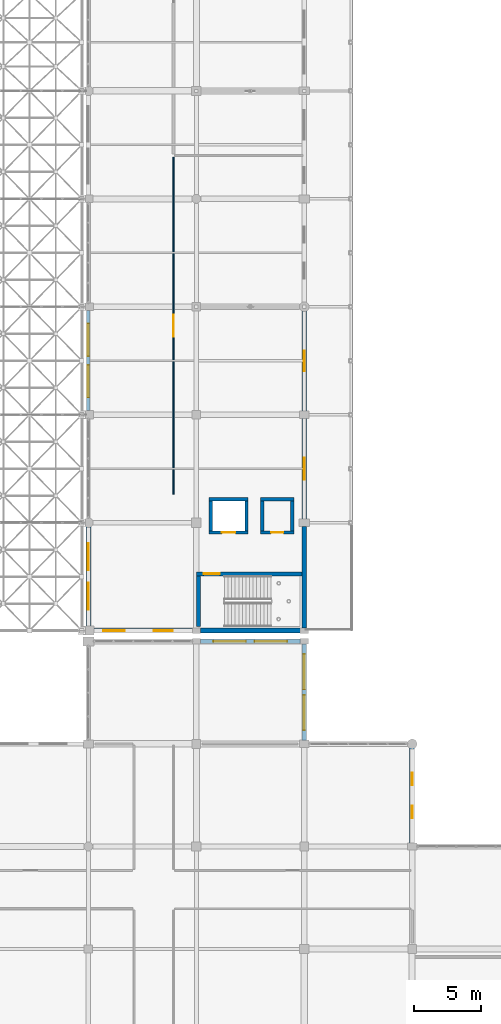
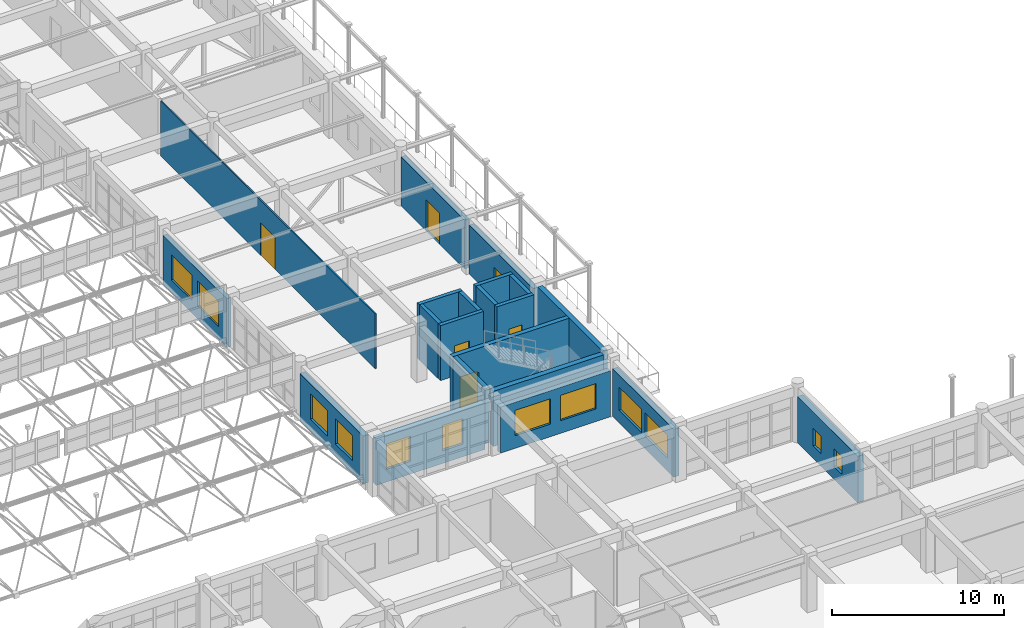
# One storey, part 166 of 195: 21 walls, 12 windows, 6 doors, 18 openings.
"""IFC4 building model written with IfcOpenShell, lengths in metres."""

from ifc_helpers import new_model, si_unit, direction, frame, frame_2d, origin, place, context, subcontext, project, spatial, rectangle, extrude, material, layer, layer_set, type_object, element, fill, save


model = new_model("IFC4")

# Units and contexts
model_context = context("Model", 3, precision=1e-05, world=origin(), true_north=direction((0.0, 1.0)))
body_context = subcontext(model_context, "Body", "Model", "MODEL_VIEW")
ifc_project = project(units=[si_unit("LENGTHUNIT", "METRE"), si_unit("AREAUNIT", "SQUARE_METRE"), si_unit("VOLUMEUNIT", "CUBIC_METRE"), si_unit("PLANEANGLEUNIT", "RADIAN"), si_unit("MASSUNIT", "GRAM", prefix="KILO")], contexts=[model_context])

# Site, building, storey
site_placement = place(None, origin())
site = spatial("IfcSite", under=ifc_project, at=site_placement, CompositionType="ELEMENT")
building_placement = place(site_placement, origin())
building = spatial("IfcBuilding", under=site, at=building_placement, Name="Kharva Crest Polytechnic", CompositionType="ELEMENT")
storey_placement = place(building_placement, frame((0.0, 0.0, 9.0)))
storey = spatial("IfcBuildingStorey", under=building, at=storey_placement, Name="L02", CompositionType="ELEMENT", Elevation=9.0)

# Wall, opening, door
ifc_material_1 = material(Name="Concrete C40/50", Category="concrete")
ifc_layer_1 = layer(ifc_material_1, 0.300048828125, Name="Concrete C40/50")
ifc_layer_set_1 = layer_set([ifc_layer_1], Name="Concrete C40/50")
wall_type_1 = type_object("IfcWallType", Name="WL-CORE-CW2-300", PredefinedType="SHEAR", material=ifc_layer_set_1)
wall_1_placement = place(storey_placement, frame((40.0, 43.010009765625, 0.0), z_axis=(0.0, 0.0, 1.0), x_axis=(1.0, 0.0, 0.0)))
wall_1 = element("IfcWall", 1, at=wall_1_placement, inside=storey, type_object=wall_type_1, Name="L02 West Workshop Core C2 North Shear Wall", PredefinedType="SHEAR", context=body_context, shape_type="SweptSolid", body=[
    extrude(rectangle(XDim=8.0, YDim=0.300048828125, at=frame_2d((4.0, 0.0))), origin(), (0.0, 0.0, 1.0), 3.919921875),
])
opening_1_placement = place(wall_1_placement, frame((0.550048828125, 0.0, 0.0)))
opening_1 = element("IfcOpeningElement", 2, at=opening_1_placement, cuts=wall_1, Name="Opening FD1", PredefinedType="OPENING", context=body_context, shape_type="SweptSolid", body=[
    extrude(rectangle(XDim=1.199951171875, YDim=2.199951171875, at=frame_2d((0.60009765625, 1.10009765625))), frame((0.0, 0.159912109375, 0.0), z_axis=(0.0, -1.0, 0.0), x_axis=(1.0, 0.0, 0.0)), (0.0, 0.0, 1.0), 0.320068359375),
])
ifc_material_2 = material(Name="Teak timber", Category="wood")
door_type_1 = type_object("IfcDoorType", Name="DR-STAIR-1200X2200", OperationType="NOTDEFINED", PredefinedType="DOOR", material=ifc_material_2)
door_1_placement = place(opening_1_placement, origin())
door_1 = element("IfcDoor", 3, at=door_1_placement, inside=storey, type_object=door_type_1, Name="L02 ST-02 Stair Door", OperationType="SINGLE_SWING_LEFT", OverallHeight=2.199951171875, OverallWidth=1.199951171875, PredefinedType="DOOR", context=body_context, shape_type="SweptSolid", body=[
    extrude(rectangle(XDim=1.199951171875, YDim=2.199951171875, at=frame_2d((0.60009765625, 1.10009765625))), frame((0.0, 0.02490234375, 0.0), z_axis=(0.0, -1.0, 0.0), x_axis=(1.0, 0.0, 0.0)), (0.0, 0.0, 1.0), 0.050048828125),
])
fill(opening_1, door_1)

# Wall
wall_2_placement = place(storey_placement, frame((40.14990234375, 39.10009765625, 0.0), z_axis=(0.0, 0.0, 1.0), x_axis=(0.0, 1.0, 0.0)))
element("IfcWall", 4, at=wall_2_placement, inside=storey, type_object=wall_type_1, Name="L02 West Workshop Core C2 West Shear Wall", PredefinedType="SHEAR", context=body_context, shape_type="SweptSolid", body=[
    extrude(rectangle(XDim=3.760009765625, YDim=0.300048828125, at=frame_2d((1.8798828125, 0.0))), origin(), (0.0, 0.0, 1.0), 3.919921875),
])

# Wall, openings, windows
ifc_material_3 = material(Name="Kiln brick masonry", Category="masonry")
ifc_layer_2 = layer(ifc_material_3, 0.27490234375, Name="Kiln brick masonry")
ifc_layer_set_2 = layer_set([ifc_layer_2], Name="Kiln brick masonry")
wall_type_2 = type_object("IfcWallType", Name="WL-EXT-BRK-275", PredefinedType="SOLIDWALL", material=ifc_layer_set_2)
wall_3_placement = place(storey_placement, frame((32.0, 62.530029296875, 0.0), z_axis=(0.0, 0.0, 1.0), x_axis=(0.0, -1.0, 0.0)))
wall_3 = element("IfcWall", 5, at=wall_3_placement, inside=storey, type_object=wall_type_2, Name="L02 Exterior Brick Wall 251", PredefinedType="SOLIDWALL", context=body_context, shape_type="SweptSolid", body=[
    extrude(rectangle(XDim=7.43505859375, YDim=0.27490234375, at=frame_2d((3.717529296875, 0.0))), origin(), (0.0, 0.0, 1.0), 3.47998046875),
])
opening_2_placement = place(wall_3_placement, frame((0.985107421875, 0.0, 0.89990234375)))
opening_2 = element("IfcOpeningElement", 6, at=opening_2_placement, cuts=wall_3, Name="Opening W02", PredefinedType="OPENING", context=body_context, shape_type="SweptSolid", body=[
    extrude(rectangle(XDim=2.39990234375, YDim=1.800048828125, at=frame_2d((1.199951171875, 0.89990234375))), frame((0.0, 0.1474609375, 0.0), z_axis=(0.0, -1.0, 0.0), x_axis=(1.0, 0.0, 0.0)), (0.0, 0.0, 1.0), 0.294921875),
])
opening_3_placement = place(wall_3_placement, frame((4.050048828125, 0.0, 0.89990234375)))
opening_3 = element("IfcOpeningElement", 7, at=opening_3_placement, cuts=wall_3, Name="Opening W02", PredefinedType="OPENING", context=body_context, shape_type="SweptSolid", body=[
    extrude(rectangle(XDim=2.39990234375, YDim=1.800048828125, at=frame_2d((1.199951171875, 0.89990234375))), frame((0.0, 0.1474609375, 0.0), z_axis=(0.0, -1.0, 0.0), x_axis=(1.0, 0.0, 0.0)), (0.0, 0.0, 1.0), 0.294921875),
])
ifc_material_4 = material(Name="Anodised aluminium", Category="aluminium")
window_type_1 = type_object("IfcWindowType", Name="WIN-ALU-2400X1800", PartitioningType="SINGLE_PANEL", PredefinedType="WINDOW", material=ifc_material_4)
window_1_placement = place(opening_2_placement, origin())
window_1 = element("IfcWindow", 8, at=window_1_placement, inside=storey, type_object=window_type_1, Name="L02 Exterior Window 335", OverallHeight=1.800048828125, OverallWidth=2.39990234375, PartitioningType="SINGLE_PANEL", PredefinedType="WINDOW", context=body_context, shape_type="SweptSolid", body=[
    extrude(rectangle(XDim=2.39990234375, YDim=1.800048828125, at=frame_2d((1.199951171875, 0.89990234375))), frame((0.0, 0.030029296875, 0.0), z_axis=(0.0, -1.0, 0.0), x_axis=(1.0, 0.0, 0.0)), (0.0, 0.0, 1.0), 0.06005859375),
])
fill(opening_2, window_1)
window_2_placement = place(opening_3_placement, origin())
window_2 = element("IfcWindow", 9, at=window_2_placement, inside=storey, type_object=window_type_1, Name="L02 Exterior Window 336", OverallHeight=1.800048828125, OverallWidth=2.39990234375, PartitioningType="SINGLE_PANEL", PredefinedType="WINDOW", context=body_context, shape_type="SweptSolid", body=[
    extrude(rectangle(XDim=2.39990234375, YDim=1.800048828125, at=frame_2d((1.199951171875, 0.89990234375))), frame((0.0, 0.030029296875, 0.0), z_axis=(0.0, -1.0, 0.0), x_axis=(1.0, 0.0, 0.0)), (0.0, 0.0, 1.0), 0.06005859375),
])
fill(opening_3, window_2)

# Wall, opening, door
ifc_layer_3 = layer(ifc_material_3, 0.304931640625, Name="Kiln brick masonry")
ifc_layer_set_3 = layer_set([ifc_layer_3], Name="Kiln brick masonry")
wall_type_3 = type_object("IfcWallType", Name="WL-EXT-BRK-305", PredefinedType="SOLIDWALL", material=ifc_layer_set_3)
wall_4_placement = place(storey_placement, frame((48.0, 55.070068359375, 0.0), z_axis=(0.0, 0.0, 1.0), x_axis=(0.0, 1.0, 0.0)))
wall_4 = element("IfcWall", 10, at=wall_4_placement, inside=storey, type_object=wall_type_3, Name="L02 Exterior Brick Wall 257", PredefinedType="SOLIDWALL", context=body_context, shape_type="SweptSolid", body=[
    extrude(rectangle(XDim=7.427490234375, YDim=0.304931640625, at=frame_2d((3.7138671875, 0.0))), origin(), (0.0, 0.0, 1.0), 3.47998046875),
])
opening_4_placement = place(wall_4_placement, frame((2.93896484375, 0.0, 0.0)))
opening_4 = element("IfcOpeningElement", 11, at=opening_4_placement, cuts=wall_4, Name="Opening ED8", PredefinedType="OPENING", context=body_context, shape_type="SweptSolid", body=[
    extrude(rectangle(XDim=1.550048828125, YDim=2.199951171875, at=frame_2d((0.77490234375, 1.10009765625))), frame((0.0, 0.162353515625, 0.0), z_axis=(0.0, -1.0, 0.0), x_axis=(1.0, 0.0, 0.0)), (0.0, 0.0, 1.0), 0.324951171875),
])
door_type_2 = type_object("IfcDoorType", Name="DR-EXT-TER-1550X2200", OperationType="NOTDEFINED", PredefinedType="DOOR", material=ifc_material_4)
door_2_placement = place(opening_4_placement, frame((1.550048828125, 0.0, 0.0), z_axis=(0.0, 0.0, 1.0), x_axis=(-1.0, 0.0, 0.0)))
door_2 = element("IfcDoor", 12, at=door_2_placement, inside=storey, type_object=door_type_2, Name="L02 VER_W_L02 Access Door 45", OperationType="DOUBLE_DOOR_SINGLE_SWING", OverallHeight=2.199951171875, OverallWidth=1.550048828125, PredefinedType="DOOR", context=body_context, shape_type="SweptSolid", body=[
    extrude(rectangle(XDim=1.550048828125, YDim=2.199951171875, at=frame_2d((0.77490234375, 1.10009765625))), frame((0.0, 0.02490234375, 0.0), z_axis=(0.0, -1.0, 0.0), x_axis=(1.0, 0.0, 0.0)), (0.0, 0.0, 1.0), 0.050048828125),
])
fill(opening_4, door_2)

ifc_layer_4 = layer(ifc_material_3, 0.320068359375, Name="Kiln brick masonry")
ifc_layer_set_4 = layer_set([ifc_layer_4], Name="Kiln brick masonry")
wall_type_4 = type_object("IfcWallType", Name="WL-EXT-BRK-320", PredefinedType="SOLIDWALL", material=ifc_layer_set_4)
wall_5_placement = place(storey_placement, frame((48.0, 47.070068359375, 0.0), z_axis=(0.0, 0.0, 1.0), x_axis=(0.0, 1.0, 0.0)))
wall_5 = element("IfcWall", 13, at=wall_5_placement, inside=storey, type_object=wall_type_4, Name="L02 Exterior Brick Wall 256", PredefinedType="SOLIDWALL", context=body_context, shape_type="SweptSolid", body=[
    extrude(rectangle(XDim=7.4599609375, YDim=0.320068359375, at=frame_2d((3.72998046875, 0.0))), origin(), (0.0, 0.0, 1.0), 3.4599609375),
])
opening_5_placement = place(wall_5_placement, frame((2.905029296875, 0.0, 0.0)))
opening_5 = element("IfcOpeningElement", 14, at=opening_5_placement, cuts=wall_5, Name="Opening ED7", PredefinedType="OPENING", context=body_context, shape_type="SweptSolid", body=[
    extrude(rectangle(XDim=1.64990234375, YDim=2.199951171875, at=frame_2d((0.824951171875, 1.10009765625))), frame((0.0, 0.169921875, 0.0), z_axis=(0.0, -1.0, 0.0), x_axis=(1.0, 0.0, 0.0)), (0.0, 0.0, 1.0), 0.340087890625),
])
door_type_3 = type_object("IfcDoorType", Name="DR-EXT-TER-1650X2200", OperationType="NOTDEFINED", PredefinedType="DOOR", material=ifc_material_4)
door_3_placement = place(opening_5_placement, frame((1.64990234375, 0.0, 0.0), z_axis=(0.0, 0.0, 1.0), x_axis=(-1.0, 0.0, 0.0)))
door_3 = element("IfcDoor", 15, at=door_3_placement, inside=storey, type_object=door_type_3, Name="L02 VER_W_L02 Access Door 44", OperationType="DOUBLE_DOOR_SINGLE_SWING", OverallHeight=2.199951171875, OverallWidth=1.64990234375, PredefinedType="DOOR", context=body_context, shape_type="SweptSolid", body=[
    extrude(rectangle(XDim=1.64990234375, YDim=2.199951171875, at=frame_2d((0.824951171875, 1.10009765625))), frame((0.0, 0.02490234375, 0.0), z_axis=(0.0, -1.0, 0.0), x_axis=(1.0, 0.0, 0.0)), (0.0, 0.0, 1.0), 0.050048828125),
])
fill(opening_5, door_3)

# Wall, openings, windows
ifc_layer_5 = layer(ifc_material_3, 0.3349609375, Name="Kiln brick masonry")
ifc_layer_set_5 = layer_set([ifc_layer_5], Name="Kiln brick masonry")
wall_type_5 = type_object("IfcWallType", Name="WL-EXT-BRK-335", PredefinedType="SOLIDWALL", material=ifc_layer_set_5)
wall_6_placement = place(storey_placement, frame((47.705078125, 38.0, 0.0), z_axis=(0.0, 0.0, 1.0), x_axis=(-1.0, 0.0, 0.0)))
wall_6 = element("IfcWall", 16, at=wall_6_placement, inside=storey, type_object=wall_type_5, Name="L02 Exterior Brick Wall 233", PredefinedType="SOLIDWALL", context=body_context, shape_type="SweptSolid", body=[
    extrude(rectangle(XDim=7.41015625, YDim=0.3349609375, at=frame_2d((3.705078125, 0.0))), origin(), (0.0, 0.0, 1.0), 3.27001953125),
])
opening_6_placement = place(wall_6_placement, frame((0.97705078125, 0.0, 0.89990234375)))
opening_6 = element("IfcOpeningElement", 17, at=opening_6_placement, cuts=wall_6, Name="Opening W02", PredefinedType="OPENING", context=body_context, shape_type="SweptSolid", body=[
    extrude(rectangle(XDim=2.39990234375, YDim=1.800048828125, at=frame_2d((1.199951171875, 0.89990234375))), frame((0.0, 0.177490234375, 0.0), z_axis=(0.0, -1.0, 0.0), x_axis=(1.0, 0.0, 0.0)), (0.0, 0.0, 1.0), 0.35498046875),
])
opening_7_placement = place(wall_6_placement, frame((4.032958984375, 0.0, 0.89990234375)))
opening_7 = element("IfcOpeningElement", 18, at=opening_7_placement, cuts=wall_6, Name="Opening W02", PredefinedType="OPENING", context=body_context, shape_type="SweptSolid", body=[
    extrude(rectangle(XDim=2.39990234375, YDim=1.800048828125, at=frame_2d((1.199951171875, 0.89990234375))), frame((0.0, 0.177490234375, 0.0), z_axis=(0.0, -1.0, 0.0), x_axis=(1.0, 0.0, 0.0)), (0.0, 0.0, 1.0), 0.35498046875),
])
window_3_placement = place(opening_6_placement, origin())
window_3 = element("IfcWindow", 19, at=window_3_placement, inside=storey, type_object=window_type_1, Name="L02 Exterior Window 311", OverallHeight=1.800048828125, OverallWidth=2.39990234375, PartitioningType="SINGLE_PANEL", PredefinedType="WINDOW", context=body_context, shape_type="SweptSolid", body=[
    extrude(rectangle(XDim=2.39990234375, YDim=1.800048828125, at=frame_2d((1.199951171875, 0.89990234375))), frame((0.0, 0.030029296875, 0.0), z_axis=(0.0, -1.0, 0.0), x_axis=(1.0, 0.0, 0.0)), (0.0, 0.0, 1.0), 0.06005859375),
])
fill(opening_6, window_3)
window_4_placement = place(opening_7_placement, origin())
window_4 = element("IfcWindow", 20, at=window_4_placement, inside=storey, type_object=window_type_1, Name="L02 Exterior Window 312", OverallHeight=1.800048828125, OverallWidth=2.39990234375, PartitioningType="SINGLE_PANEL", PredefinedType="WINDOW", context=body_context, shape_type="SweptSolid", body=[
    extrude(rectangle(XDim=2.39990234375, YDim=1.800048828125, at=frame_2d((1.199951171875, 0.89990234375))), frame((0.0, 0.030029296875, 0.0), z_axis=(0.0, -1.0, 0.0), x_axis=(1.0, 0.0, 0.0)), (0.0, 0.0, 1.0), 0.06005859375),
])
fill(opening_7, window_4)

# Wall
wall_7_placement = place(storey_placement, frame((48.0, 38.9951171875, 0.0), z_axis=(0.0, 0.0, 1.0), x_axis=(0.0, 1.0, 0.0)))
element("IfcWall", 21, at=wall_7_placement, inside=storey, type_object=wall_type_5, Name="L02 Exterior Brick Wall 255", PredefinedType="SOLIDWALL", context=body_context, shape_type="SweptSolid", body=[
    extrude(rectangle(XDim=7.534912109375, YDim=0.3349609375, at=frame_2d((3.767578125, 0.0))), origin(), (0.0, 0.0, 1.0), 3.919921875),
])

# Wall, openings, windows
ifc_layer_6 = layer(ifc_material_3, 0.35009765625, Name="Kiln brick masonry")
ifc_layer_set_6 = layer_set([ifc_layer_6], Name="Kiln brick masonry")
wall_type_6 = type_object("IfcWallType", Name="WL-EXT-BRK-350", PredefinedType="SOLIDWALL", material=ifc_layer_set_6)
wall_8_placement = place(storey_placement, frame((48.0, 30.669921875, 0.0), z_axis=(0.0, 0.0, 1.0), x_axis=(0.0, 1.0, 0.0)))
wall_8 = element("IfcWall", 22, at=wall_8_placement, inside=storey, type_object=wall_type_6, Name="L02 Exterior Brick Wall 232", PredefinedType="SOLIDWALL", context=body_context, shape_type="SweptSolid", body=[
    extrude(rectangle(XDim=7.135009765625, YDim=0.35009765625, at=frame_2d((3.5673828125, 0.0))), origin(), (0.0, 0.0, 1.0), 3.39990234375),
])
opening_8_placement = place(wall_8_placement, frame((0.751953125, 0.0, 0.89990234375)))
opening_8 = element("IfcOpeningElement", 23, at=opening_8_placement, cuts=wall_8, Name="Opening W24", PredefinedType="OPENING", context=body_context, shape_type="SweptSolid", body=[
    extrude(rectangle(XDim=2.60009765625, YDim=1.64990234375, at=frame_2d((1.300048828125, 0.824951171875))), frame((0.0, 0.18505859375, 0.0), z_axis=(0.0, -1.0, 0.0), x_axis=(1.0, 0.0, 0.0)), (0.0, 0.0, 1.0), 0.3701171875),
])
opening_9_placement = place(wall_8_placement, frame((3.782958984375, 0.0, 0.89990234375)))
opening_9 = element("IfcOpeningElement", 24, at=opening_9_placement, cuts=wall_8, Name="Opening W24", PredefinedType="OPENING", context=body_context, shape_type="SweptSolid", body=[
    extrude(rectangle(XDim=2.60009765625, YDim=1.64990234375, at=frame_2d((1.300048828125, 0.824951171875))), frame((0.0, 0.18505859375, 0.0), z_axis=(0.0, -1.0, 0.0), x_axis=(1.0, 0.0, 0.0)), (0.0, 0.0, 1.0), 0.3701171875),
])
window_type_2 = type_object("IfcWindowType", Name="WIN-ALU-2600X1650", PartitioningType="SINGLE_PANEL", PredefinedType="WINDOW", material=ifc_material_4)
window_5_placement = place(opening_8_placement, origin())
window_5 = element("IfcWindow", 25, at=window_5_placement, inside=storey, type_object=window_type_2, Name="L02 Exterior Window 309", OverallHeight=1.64990234375, OverallWidth=2.60009765625, PartitioningType="SINGLE_PANEL", PredefinedType="WINDOW", context=body_context, shape_type="SweptSolid", body=[
    extrude(rectangle(XDim=2.60009765625, YDim=1.64990234375, at=frame_2d((1.300048828125, 0.824951171875))), frame((0.0, 0.030029296875, 0.0), z_axis=(0.0, -1.0, 0.0), x_axis=(1.0, 0.0, 0.0)), (0.0, 0.0, 1.0), 0.06005859375),
])
fill(opening_8, window_5)
window_6_placement = place(opening_9_placement, origin())
window_6 = element("IfcWindow", 26, at=window_6_placement, inside=storey, type_object=window_type_2, Name="L02 Exterior Window 310", OverallHeight=1.64990234375, OverallWidth=2.60009765625, PartitioningType="SINGLE_PANEL", PredefinedType="WINDOW", context=body_context, shape_type="SweptSolid", body=[
    extrude(rectangle(XDim=2.60009765625, YDim=1.64990234375, at=frame_2d((1.300048828125, 0.824951171875))), frame((0.0, 0.030029296875, 0.0), z_axis=(0.0, -1.0, 0.0), x_axis=(1.0, 0.0, 0.0)), (0.0, 0.0, 1.0), 0.06005859375),
])
fill(opening_9, window_6)

# Wall
wall_9_placement = place(storey_placement, frame((40.294921875, 38.800048828125, 0.0), z_axis=(0.0, 0.0, 1.0), x_axis=(1.0, 0.0, 0.0)))
element("IfcWall", 27, at=wall_9_placement, inside=storey, type_object=wall_type_6, Name="L02 Exterior Brick Wall 254", PredefinedType="SOLIDWALL", context=body_context, shape_type="SweptSolid", body=[
    extrude(rectangle(XDim=7.41015625, YDim=0.35009765625, at=frame_2d((3.705078125, 0.0))), origin(), (0.0, 0.0, 1.0), 3.919921875),
])

# Wall, openings, windows
ifc_layer_7 = layer(ifc_material_3, 0.364990234375, Name="Kiln brick masonry")
ifc_layer_set_7 = layer_set([ifc_layer_7], Name="Kiln brick masonry")
wall_type_7 = type_object("IfcWallType", Name="WL-EXT-BRK-365", PredefinedType="SOLIDWALL", material=ifc_layer_set_7)
wall_10_placement = place(storey_placement, frame((32.39501953125, 38.800048828125, 0.0), z_axis=(0.0, 0.0, 1.0), x_axis=(1.0, 0.0, 0.0)))
wall_10 = element("IfcWall", 28, at=wall_10_placement, inside=storey, type_object=wall_type_7, Name="L02 Exterior Brick Wall 253", PredefinedType="SOLIDWALL", context=body_context, shape_type="SweptSolid", body=[
    extrude(rectangle(XDim=7.31005859375, YDim=0.364990234375, at=frame_2d((3.655029296875, 0.0))), origin(), (0.0, 0.0, 1.0), 3.320068359375),
])
opening_10_placement = place(wall_10_placement, frame((0.702880859375, 0.0, 0.89990234375)))
opening_10 = element("IfcOpeningElement", 29, at=opening_10_placement, cuts=wall_10, Name="Opening W06", PredefinedType="OPENING", context=body_context, shape_type="SweptSolid", body=[
    extrude(rectangle(XDim=1.60009765625, YDim=1.800048828125, at=frame_2d((0.800048828125, 0.89990234375))), frame((0.0, 0.1923828125, 0.0), z_axis=(0.0, -1.0, 0.0), x_axis=(1.0, 0.0, 0.0)), (0.0, 0.0, 1.0), 0.385009765625),
])
opening_11_placement = place(wall_10_placement, frame((4.45703125, 0.0, 0.89990234375)))
opening_11 = element("IfcOpeningElement", 30, at=opening_11_placement, cuts=wall_10, Name="Opening W07", PredefinedType="OPENING", context=body_context, shape_type="SweptSolid", body=[
    extrude(rectangle(XDim=1.39990234375, YDim=1.800048828125, at=frame_2d((0.699951171875, 0.89990234375))), frame((0.0, 0.1923828125, 0.0), z_axis=(0.0, -1.0, 0.0), x_axis=(1.0, 0.0, 0.0)), (0.0, 0.0, 1.0), 0.385009765625),
])
window_type_3 = type_object("IfcWindowType", Name="WIN-ALU-1400X1800", PartitioningType="SINGLE_PANEL", PredefinedType="WINDOW", material=ifc_material_4)
window_7_placement = place(opening_11_placement, origin())
window_7 = element("IfcWindow", 31, at=window_7_placement, inside=storey, type_object=window_type_3, Name="L02 Exterior Window 340", OverallHeight=1.800048828125, OverallWidth=1.39990234375, PartitioningType="SINGLE_PANEL", PredefinedType="WINDOW", context=body_context, shape_type="SweptSolid", body=[
    extrude(rectangle(XDim=1.39990234375, YDim=1.800048828125, at=frame_2d((0.699951171875, 0.89990234375))), frame((0.0, 0.030029296875, 0.0), z_axis=(0.0, -1.0, 0.0), x_axis=(1.0, 0.0, 0.0)), (0.0, 0.0, 1.0), 0.06005859375),
])
fill(opening_11, window_7)
window_type_4 = type_object("IfcWindowType", Name="WIN-ALU-1600X1800", PartitioningType="SINGLE_PANEL", PredefinedType="WINDOW", material=ifc_material_4)
window_8_placement = place(opening_10_placement, origin())
window_8 = element("IfcWindow", 32, at=window_8_placement, inside=storey, type_object=window_type_4, Name="L02 Exterior Window 339", OverallHeight=1.800048828125, OverallWidth=1.60009765625, PartitioningType="SINGLE_PANEL", PredefinedType="WINDOW", context=body_context, shape_type="SweptSolid", body=[
    extrude(rectangle(XDim=1.60009765625, YDim=1.800048828125, at=frame_2d((0.800048828125, 0.89990234375))), frame((0.0, 0.030029296875, 0.0), z_axis=(0.0, -1.0, 0.0), x_axis=(1.0, 0.0, 0.0)), (0.0, 0.0, 1.0), 0.06005859375),
])
fill(opening_10, window_8)

ifc_layer_8 = layer(ifc_material_3, 0.3798828125, Name="Kiln brick masonry")
ifc_layer_set_8 = layer_set([ifc_layer_8], Name="Kiln brick masonry")
wall_type_8 = type_object("IfcWallType", Name="WL-EXT-BRK-380", PredefinedType="SOLIDWALL", material=ifc_layer_set_8)
wall_11_placement = place(storey_placement, frame((56.0, 23.070068359375, 0.0), z_axis=(0.0, 0.0, 1.0), x_axis=(0.0, 1.0, 0.0)))
wall_11 = element("IfcWall", 33, at=wall_11_placement, inside=storey, type_object=wall_type_8, Name="L02 Exterior Brick Wall 231", PredefinedType="SOLIDWALL", context=body_context, shape_type="SweptSolid", body=[
    extrude(rectangle(XDim=7.027587890625, YDim=0.3798828125, at=frame_2d((3.513671875, 0.0))), origin(), (0.0, 0.0, 1.0), 3.300048828125),
])
opening_12_placement = place(wall_11_placement, frame((1.81591796875, 0.0, 0.89990234375)))
opening_12 = element("IfcOpeningElement", 34, at=opening_12_placement, cuts=wall_11, Name="Opening W22", PredefinedType="OPENING", context=body_context, shape_type="SweptSolid", body=[
    extrude(rectangle(XDim=0.949951171875, YDim=1.25, at=frame_2d((0.47509765625, 0.625))), frame((0.0, 0.199951171875, 0.0), z_axis=(0.0, -1.0, 0.0), x_axis=(1.0, 0.0, 0.0)), (0.0, 0.0, 1.0), 0.39990234375),
])
opening_13_placement = place(wall_11_placement, frame((4.261962890625, 0.0, 0.89990234375)))
opening_13 = element("IfcOpeningElement", 35, at=opening_13_placement, cuts=wall_11, Name="Opening W22", PredefinedType="OPENING", context=body_context, shape_type="SweptSolid", body=[
    extrude(rectangle(XDim=0.949951171875, YDim=1.25, at=frame_2d((0.47509765625, 0.625))), frame((0.0, 0.199951171875, 0.0), z_axis=(0.0, -1.0, 0.0), x_axis=(1.0, 0.0, 0.0)), (0.0, 0.0, 1.0), 0.39990234375),
])
window_type_5 = type_object("IfcWindowType", Name="WIN-ALU-950X1250", PartitioningType="SINGLE_PANEL", PredefinedType="WINDOW", material=ifc_material_4)
window_9_placement = place(opening_12_placement, origin())
window_9 = element("IfcWindow", 36, at=window_9_placement, inside=storey, type_object=window_type_5, Name="L02 Exterior Window 307", OverallHeight=1.25, OverallWidth=0.949951171875, PartitioningType="SINGLE_PANEL", PredefinedType="WINDOW", context=body_context, shape_type="SweptSolid", body=[
    extrude(rectangle(XDim=0.949951171875, YDim=1.25, at=frame_2d((0.47509765625, 0.625))), frame((0.0, 0.030029296875, 0.0), z_axis=(0.0, -1.0, 0.0), x_axis=(1.0, 0.0, 0.0)), (0.0, 0.0, 1.0), 0.06005859375),
])
fill(opening_12, window_9)
window_10_placement = place(opening_13_placement, origin())
window_10 = element("IfcWindow", 37, at=window_10_placement, inside=storey, type_object=window_type_5, Name="L02 Exterior Window 308", OverallHeight=1.25, OverallWidth=0.949951171875, PartitioningType="SINGLE_PANEL", PredefinedType="WINDOW", context=body_context, shape_type="SweptSolid", body=[
    extrude(rectangle(XDim=0.949951171875, YDim=1.25, at=frame_2d((0.47509765625, 0.625))), frame((0.0, 0.030029296875, 0.0), z_axis=(0.0, -1.0, 0.0), x_axis=(1.0, 0.0, 0.0)), (0.0, 0.0, 1.0), 0.06005859375),
])
fill(opening_13, window_10)

wall_12_placement = place(storey_placement, frame((32.0, 46.49755859375, 0.0), z_axis=(0.0, 0.0, 1.0), x_axis=(0.0, -1.0, 0.0)))
wall_12 = element("IfcWall", 38, at=wall_12_placement, inside=storey, type_object=wall_type_8, Name="L02 Exterior Brick Wall 252", PredefinedType="SOLIDWALL", context=body_context, shape_type="SweptSolid", body=[
    extrude(rectangle(XDim=7.37744140625, YDim=0.3798828125, at=frame_2d((3.688720703125, 0.0))), origin(), (0.0, 0.0, 1.0), 3.39990234375),
])
opening_14_placement = place(wall_12_placement, frame((1.23291015625, 0.0, 0.89990234375)))
opening_14 = element("IfcOpeningElement", 39, at=opening_14_placement, cuts=wall_12, Name="Opening W04", PredefinedType="OPENING", context=body_context, shape_type="SweptSolid", body=[
    extrude(rectangle(XDim=2.0, YDim=1.800048828125, at=frame_2d((1.0, 0.89990234375))), frame((0.0, 0.199951171875, 0.0), z_axis=(0.0, -1.0, 0.0), x_axis=(1.0, 0.0, 0.0)), (0.0, 0.0, 1.0), 0.39990234375),
])
opening_15_placement = place(wall_12_placement, frame((4.14501953125, 0.0, 0.89990234375)))
opening_15 = element("IfcOpeningElement", 40, at=opening_15_placement, cuts=wall_12, Name="Opening W04", PredefinedType="OPENING", context=body_context, shape_type="SweptSolid", body=[
    extrude(rectangle(XDim=2.0, YDim=1.800048828125, at=frame_2d((1.0, 0.89990234375))), frame((0.0, 0.199951171875, 0.0), z_axis=(0.0, -1.0, 0.0), x_axis=(1.0, 0.0, 0.0)), (0.0, 0.0, 1.0), 0.39990234375),
])
window_type_6 = type_object("IfcWindowType", Name="WIN-ALU-2000X1800", PartitioningType="SINGLE_PANEL", PredefinedType="WINDOW", material=ifc_material_4)
window_11_placement = place(opening_14_placement, origin())
window_11 = element("IfcWindow", 41, at=window_11_placement, inside=storey, type_object=window_type_6, Name="L02 Exterior Window 337", OverallHeight=1.800048828125, OverallWidth=2.0, PartitioningType="SINGLE_PANEL", PredefinedType="WINDOW", context=body_context, shape_type="SweptSolid", body=[
    extrude(rectangle(XDim=2.0, YDim=1.800048828125, at=frame_2d((1.0, 0.89990234375))), frame((0.0, 0.030029296875, 0.0), z_axis=(0.0, -1.0, 0.0), x_axis=(1.0, 0.0, 0.0)), (0.0, 0.0, 1.0), 0.06005859375),
])
fill(opening_14, window_11)
window_12_placement = place(opening_15_placement, origin())
window_12 = element("IfcWindow", 42, at=window_12_placement, inside=storey, type_object=window_type_6, Name="L02 Exterior Window 338", OverallHeight=1.800048828125, OverallWidth=2.0, PartitioningType="SINGLE_PANEL", PredefinedType="WINDOW", context=body_context, shape_type="SweptSolid", body=[
    extrude(rectangle(XDim=2.0, YDim=1.800048828125, at=frame_2d((1.0, 0.89990234375))), frame((0.0, 0.030029296875, 0.0), z_axis=(0.0, -1.0, 0.0), x_axis=(1.0, 0.0, 0.0)), (0.0, 0.0, 1.0), 0.06005859375),
])
fill(opening_15, window_12)

# Wall, opening, door
ifc_layer_9 = layer(ifc_material_3, 0.090087890625, Name="Kiln brick masonry")
ifc_layer_set_9 = layer_set([ifc_layer_9], Name="Kiln brick masonry")
wall_type_9 = type_object("IfcWallType", Name="WL-PART-090", PredefinedType="PARTITIONING", material=ifc_layer_set_9)
wall_13_placement = place(storey_placement, frame((38.31005859375, 48.909912109375, 0.0), z_axis=(0.0, 0.0, 1.0), x_axis=(0.0, 1.0, 0.0)))
wall_13 = element("IfcWall", 43, at=wall_13_placement, inside=storey, type_object=wall_type_9, Name="L02 Interior Partition 199", PredefinedType="PARTITIONING", context=body_context, shape_type="SweptSolid", body=[
    extrude(rectangle(XDim=24.97998046875, YDim=0.090087890625, at=frame_2d((12.489990234375, 0.0))), origin(), (0.0, 0.0, 1.0), 3.89990234375),
])
opening_16_placement = place(wall_13_placement, frame((11.6650390625, 0.0, 0.0)))
opening_16 = element("IfcOpeningElement", 44, at=opening_16_placement, cuts=wall_13, Name="Opening ID3", PredefinedType="OPENING", context=body_context, shape_type="SweptSolid", body=[
    extrude(rectangle(XDim=1.64990234375, YDim=2.300048828125, at=frame_2d((0.824951171875, 1.14990234375))), frame((0.0, 0.054931640625, 0.0), z_axis=(0.0, -1.0, 0.0), x_axis=(1.0, 0.0, 0.0)), (0.0, 0.0, 1.0), 0.110107421875),
])
door_type_4 = type_object("IfcDoorType", Name="DR-WKSHP-DBL-1650X2300", OperationType="NOTDEFINED", PredefinedType="DOOR", material=ifc_material_2)
door_4_placement = place(opening_16_placement, origin())
door_4 = element("IfcDoor", 45, at=door_4_placement, inside=storey, type_object=door_type_4, Name="L02 Mechatronics and CNC Workshop Door", OperationType="DOUBLE_DOOR_SINGLE_SWING", OverallHeight=2.300048828125, OverallWidth=1.64990234375, PredefinedType="DOOR", context=body_context, shape_type="SweptSolid", body=[
    extrude(rectangle(XDim=1.64990234375, YDim=2.300048828125, at=frame_2d((0.824951171875, 1.14990234375))), frame((0.0, 0.02490234375, 0.0), z_axis=(0.0, -1.0, 0.0), x_axis=(1.0, 0.0, 0.0)), (0.0, 0.0, 1.0), 0.050048828125),
])
fill(opening_16, door_4)

ifc_layer_10 = layer(ifc_material_1, 0.25, Name="Concrete C40/50")
ifc_layer_set_10 = layer_set([ifc_layer_10], Name="Concrete C40/50")
wall_type_10 = type_object("IfcWallType", Name="WL-SHEAR-SW1-250", PredefinedType="SHEAR", material=ifc_layer_set_10)
wall_14_placement = place(storey_placement, frame((40.949951171875, 46.074951171875, 0.0), z_axis=(0.0, 0.0, 1.0), x_axis=(1.0, 0.0, 0.0)))
wall_14 = element("IfcWall", 46, at=wall_14_placement, inside=storey, type_object=wall_type_10, Name="L02 Lift PL2 South Shaft Wall", PredefinedType="SHEAR", context=body_context, shape_type="SweptSolid", body=[
    extrude(rectangle(XDim=2.900146484375, YDim=0.25, at=frame_2d((1.4501953125, 0.0))), origin(), (0.0, 0.0, 1.0), 3.919921875),
])
opening_17_placement = place(wall_14_placement, frame((0.949951171875, 0.0, 0.0)))
opening_17 = element("IfcOpeningElement", 47, at=opening_17_placement, cuts=wall_14, Name="Opening LD2", PredefinedType="OPENING", context=body_context, shape_type="SweptSolid", body=[
    extrude(rectangle(XDim=1.0, YDim=2.14990234375, at=frame_2d((0.5, 1.074951171875))), frame((0.0, 0.135009765625, 0.0), z_axis=(0.0, -1.0, 0.0), x_axis=(1.0, 0.0, 0.0)), (0.0, 0.0, 1.0), 0.27001953125),
])
door_type_5 = type_object("IfcDoorType", Name="DR-LIFT-LD2-1000X2150", OperationType="SLIDING_TO_LEFT", PredefinedType="DOOR", material=ifc_material_4)
door_5_placement = place(opening_17_placement, origin())
door_5 = element("IfcDoor", 48, at=door_5_placement, inside=storey, type_object=door_type_5, Name="L02 Lift PL2 Sliding Landing Door", OperationType="SLIDING_TO_LEFT", OverallHeight=2.14990234375, OverallWidth=1.0, PredefinedType="DOOR", context=body_context, shape_type="SweptSolid", body=[
    extrude(rectangle(XDim=1.0, YDim=2.14990234375, at=frame_2d((0.5, 1.074951171875))), frame((0.0, 0.02490234375, 0.0), z_axis=(0.0, -1.0, 0.0), x_axis=(1.0, 0.0, 0.0)), (0.0, 0.0, 1.0), 0.050048828125),
])
fill(opening_17, door_5)

# Walls
wall_15_placement = place(storey_placement, frame((40.949951171875, 48.52490234375, 0.0), z_axis=(0.0, 0.0, 1.0), x_axis=(1.0, 0.0, 0.0)))
element("IfcWall", 49, at=wall_15_placement, inside=storey, type_object=wall_type_10, Name="L02 Lift PL2 North Shaft Wall", PredefinedType="SHEAR", context=body_context, shape_type="SweptSolid", body=[
    extrude(rectangle(XDim=2.900146484375, YDim=0.25, at=frame_2d((1.4501953125, 0.0))), origin(), (0.0, 0.0, 1.0), 3.919921875),
])
for number, where, z_axis, x_axis, name in (
    (50, (41.074951171875, 46.199951171875, 0.0), (0.0, 0.0, 1.0), (0.0, 1.0, 0.0), "L02 Lift PL2 West Shaft Wall"),
    (51, (43.72509765625, 46.199951171875, 0.0), (0.0, 0.0, 1.0), (0.0, 1.0, 0.0), "L02 Lift PL2 East Shaft Wall"),
):
    element("IfcWall", number, at=place(storey_placement, frame(where, z_axis=z_axis, x_axis=x_axis)), inside=storey, type_object=wall_type_10, Name=name, PredefinedType="SHEAR", context=body_context, shape_type="SweptSolid", body=[
        extrude(rectangle(XDim=2.199951171875, YDim=0.25, at=frame_2d((1.10009765625, 0.0))), origin(), (0.0, 0.0, 1.0), 3.919921875),
    ])

# Wall, opening, door
wall_16_placement = place(storey_placement, frame((44.75, 46.074951171875, 0.0), z_axis=(0.0, 0.0, 1.0), x_axis=(1.0, 0.0, 0.0)))
wall_16 = element("IfcWall", 52, at=wall_16_placement, inside=storey, type_object=wall_type_10, Name="L02 Core C2 Riser South Wall", PredefinedType="SHEAR", context=body_context, shape_type="SweptSolid", body=[
    extrude(rectangle(XDim=2.5, YDim=0.25, at=frame_2d((1.25, 0.0))), origin(), (0.0, 0.0, 1.0), 3.919921875),
])
opening_18_placement = place(wall_16_placement, frame((0.800048828125, 0.0, 0.0)))
opening_18 = element("IfcOpeningElement", 53, at=opening_18_placement, cuts=wall_16, Name="Opening FD3", PredefinedType="OPENING", context=body_context, shape_type="SweptSolid", body=[
    extrude(rectangle(XDim=0.89990234375, YDim=2.050048828125, at=frame_2d((0.449951171875, 1.02490234375))), frame((0.0, 0.135009765625, 0.0), z_axis=(0.0, -1.0, 0.0), x_axis=(1.0, 0.0, 0.0)), (0.0, 0.0, 1.0), 0.27001953125),
])
door_type_6 = type_object("IfcDoorType", Name="DR-RISER-900X2050", OperationType="NOTDEFINED", PredefinedType="DOOR", material=ifc_material_4)
door_6_placement = place(opening_18_placement, origin())
door_6 = element("IfcDoor", 54, at=door_6_placement, inside=storey, type_object=door_type_6, Name="L02 Core C2 Riser Access Door", OperationType="SINGLE_SWING_RIGHT", OverallHeight=2.050048828125, OverallWidth=0.89990234375, PredefinedType="DOOR", context=body_context, shape_type="SweptSolid", body=[
    extrude(rectangle(XDim=0.89990234375, YDim=2.050048828125, at=frame_2d((0.449951171875, 1.02490234375))), frame((0.0, 0.02490234375, 0.0), z_axis=(0.0, -1.0, 0.0), x_axis=(1.0, 0.0, 0.0)), (0.0, 0.0, 1.0), 0.050048828125),
])
fill(opening_18, door_6)

# Walls
wall_17_placement = place(storey_placement, frame((44.75, 48.52490234375, 0.0), z_axis=(0.0, 0.0, 1.0), x_axis=(1.0, 0.0, 0.0)))
element("IfcWall", 55, at=wall_17_placement, inside=storey, type_object=wall_type_10, Name="L02 Core C2 Riser North Wall", PredefinedType="SHEAR", context=body_context, shape_type="SweptSolid", body=[
    extrude(rectangle(XDim=2.5, YDim=0.25, at=frame_2d((1.25, 0.0))), origin(), (0.0, 0.0, 1.0), 3.919921875),
])
for number, where, z_axis, x_axis, name in (
    (56, (44.875, 46.199951171875, 0.0), (0.0, 0.0, 1.0), (0.0, 1.0, 0.0), "L02 Core C2 Riser West Wall"),
    (57, (47.125, 46.199951171875, 0.0), (0.0, 0.0, 1.0), (0.0, 1.0, 0.0), "L02 Core C2 Riser East Wall"),
):
    element("IfcWall", number, at=place(storey_placement, frame(where, z_axis=z_axis, x_axis=x_axis)), inside=storey, type_object=wall_type_10, Name=name, PredefinedType="SHEAR", context=body_context, shape_type="SweptSolid", body=[
        extrude(rectangle(XDim=2.199951171875, YDim=0.25, at=frame_2d((1.10009765625, 0.0))), origin(), (0.0, 0.0, 1.0), 3.919921875),
    ])

save(model, "model.ifc")
